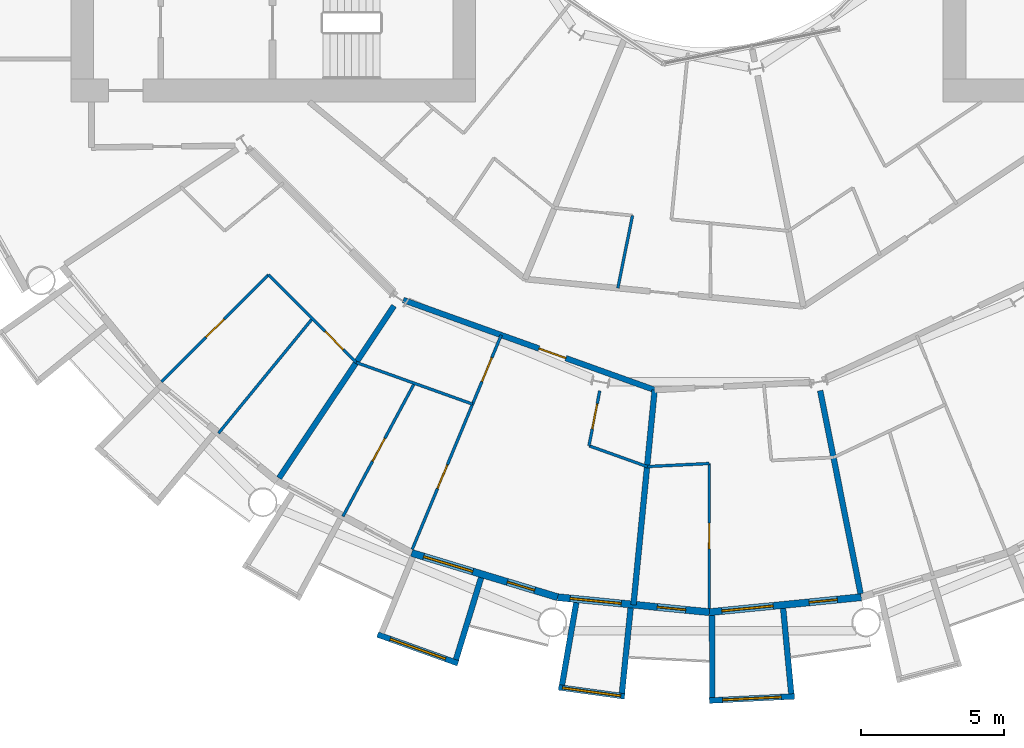
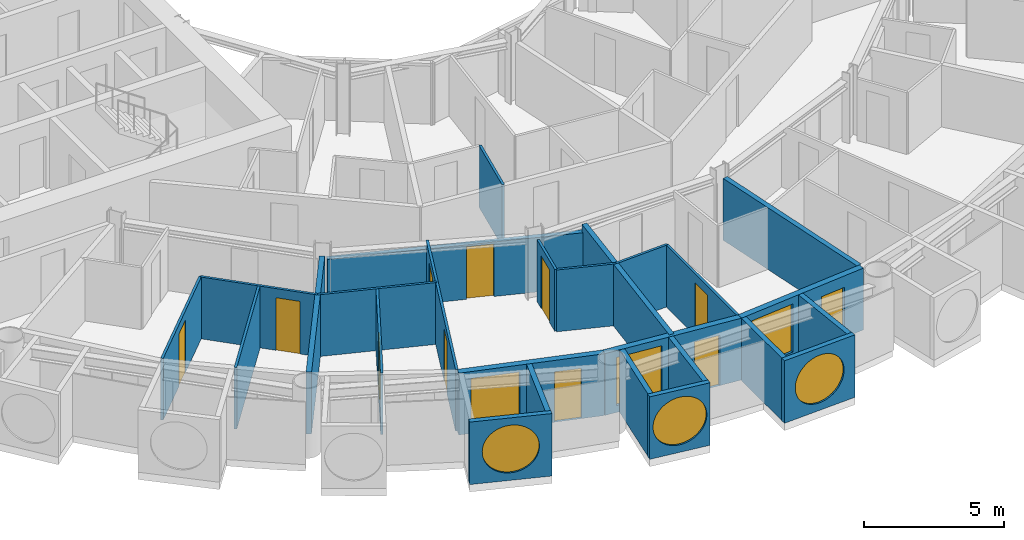
# One storey, part 13 of 26: 26 walls, 11 doors, 6 windows, 17 openings.
"""IFC4 building model written with IfcOpenShell, lengths in metres."""

import ifcopenshell
import ifcopenshell.guid

model = None  # the IFC model being written
_history = None  # IfcOwnerHistory: only IFC2X3 demands one
_inside = {}  # id of a spatial element -> (the spatial element, [elements in it])
_under = {}  # id of a project, library or spatial element -> (it, [spatial elements below it])
_declared = {}  # id of a project -> (the project, [libraries it declares])
_typed = {}  # id of a type object -> (the type object, [elements of that type])
_made_of = {}  # id of a material, layer set ... -> (it, [elements and type objects made of it])


def new_model(schema):
    """Start an empty IFC model of exactly this schema.

    Asked for "IFC4X3", IfcOpenShell would pick the latest addendum, in which some entities
    have other attributes; the version numbers below select the first issue.
    IFC2X3 requires an IfcOwnerHistory on every rooted entity: one is made here for all.
    """
    global model, _history
    if schema == "IFC4X3":
        model = ifcopenshell.file(schema_version=(4, 3, 0, 0))
    else:
        model = ifcopenshell.file(schema=schema)
    _inside.clear()
    _under.clear()
    _declared.clear()
    _typed.clear()
    _made_of.clear()
    _history = None
    if model.schema == "IFC2X3":
        org = make("IfcOrganization", Name="unknown")
        user = make(
            "IfcPersonAndOrganization",
            ThePerson=make("IfcPerson", FamilyName="unknown"),
            TheOrganization=org,
        )
        app = make(
            "IfcApplication",
            ApplicationDeveloper=org,
            Version="unknown",
            ApplicationFullName="unknown",
            ApplicationIdentifier="unknown",
        )
        _history = make(
            "IfcOwnerHistory",
            OwningUser=user,
            OwningApplication=app,
            ChangeAction="ADDED",
            CreationDate=0,
        )
    return model


def make(cls, **values):
    """One entity of the class cls with the attributes given. An attribute that is None is left unset."""
    return model.create_entity(
        cls, **{name: value for name, value in values.items() if value is not None}
    )


def rooted(cls, **values):
    """An entity with a GlobalId (a new one), such as an element, a storey or a relation."""
    return make(cls, GlobalId=ifcopenshell.guid.new(), OwnerHistory=_history, **values)


def si_unit(unit_type, name, prefix=None):
    """IfcSIUnit, for example si_unit("LENGTHUNIT", "METRE", prefix="MILLI")."""
    return make("IfcSIUnit", UnitType=unit_type, Prefix=prefix, Name=name)


def assignment(units):
    """IfcUnitAssignment: the units of a project."""
    return None if units is None else make("IfcUnitAssignment", Units=units)


def point(xyz):
    """IfcCartesianPoint."""
    return None if xyz is None else make("IfcCartesianPoint", Coordinates=xyz)


def direction(xyz):
    """IfcDirection."""
    return None if xyz is None else make("IfcDirection", DirectionRatios=xyz)


def frame(location, z_axis=None, x_axis=None):
    """IfcAxis2Placement3D, a coordinate frame: its origin and axes. An axis left out is left unset."""
    return make(
        "IfcAxis2Placement3D",
        Location=point(location),
        Axis=direction(z_axis),
        RefDirection=direction(x_axis),
    )


def frame_2d(location, x_axis=None):
    """IfcAxis2Placement2D, a coordinate frame in the plane: its origin and x axis."""
    return make(
        "IfcAxis2Placement2D", Location=point(location), RefDirection=direction(x_axis)
    )


def origin():
    """The frame at (0, 0, 0) with its axes left unset."""
    return frame((0.0, 0.0, 0.0))


def place(relative_to, where):
    """IfcLocalPlacement: puts the frame where relative to a parent placement (None: the world)."""
    return make(
        "IfcLocalPlacement", PlacementRelTo=relative_to, RelativePlacement=where
    )


def context(
    kind, dimensions, precision=None, world=None, true_north=None, identifier=None
):
    """IfcGeometricRepresentationContext, for example the 3D "Model" context."""
    return make(
        "IfcGeometricRepresentationContext",
        ContextIdentifier=identifier,
        ContextType=kind,
        CoordinateSpaceDimension=dimensions,
        Precision=precision,
        WorldCoordinateSystem=world,
        TrueNorth=true_north,
    )


def subcontext(parent, identifier, kind, view, scale=None):
    """IfcGeometricRepresentationSubContext, for example "Body" below "Model"."""
    return make(
        "IfcGeometricRepresentationSubContext",
        ContextIdentifier=identifier,
        ContextType=kind,
        ParentContext=parent,
        TargetScale=scale,
        TargetView=view,
    )


def project(units=None, contexts=None):
    """IfcProject with its units and contexts."""
    return rooted(
        "IfcProject",
        Name="project",
        RepresentationContexts=contexts,
        UnitsInContext=assignment(units),
    )


def spatial(cls, under=None, at=None, **own):
    """A site, building, storey or space (cls), placed at a placement, below another one or the project."""
    s = rooted(cls, ObjectPlacement=at, **own)
    if under is not None:
        _under.setdefault(under.id(), (under, []))[1].append(s)
    return s


def profile(cls, at=None, kind="AREA", **sizes):
    """A parametric profile (cls). Its sizes go by their IFC names, for example OverallWidth=200.0."""
    return make(cls, ProfileType=kind, Position=at, **sizes)


def rectangle(**sizes):
    """IfcRectangleProfileDef."""
    return profile("IfcRectangleProfileDef", **sizes)


def circle(**sizes):
    """IfcCircleProfileDef."""
    return profile("IfcCircleProfileDef", **sizes)


def extrude(swept, where, along, depth):
    """IfcExtrudedAreaSolid: the profile swept, set in the frame where, extruded along a direction by depth."""
    return make(
        "IfcExtrudedAreaSolid",
        SweptArea=swept,
        Position=where,
        ExtrudedDirection=direction(along),
        Depth=depth,
    )


def shape(context_of_items, identifier, shape_type, items):
    """IfcShapeRepresentation: the items that make up one representation, for example the "Body"."""
    return make(
        "IfcShapeRepresentation",
        ContextOfItems=context_of_items,
        RepresentationIdentifier=identifier,
        RepresentationType=shape_type,
        Items=items,
    )


def material(Name=None, Category=None):
    """IfcMaterial."""
    return make("IfcMaterial", Name=Name, Category=Category)


def layer(
    of_material, thickness, ventilated=None, Name=None, Category=None, Priority=None
):
    """IfcMaterialLayer: one layer of a wall or slab, of a material (None: an air gap)."""
    return make(
        "IfcMaterialLayer",
        Material=of_material,
        LayerThickness=thickness,
        IsVentilated=ventilated,
        Name=Name,
        Category=Category,
        Priority=Priority,
    )


def layer_set(layers, Name=None):
    """IfcMaterialLayerSet."""
    return make("IfcMaterialLayerSet", MaterialLayers=layers, LayerSetName=Name)


def made_of(thing, what):
    """Note that an element or type object is made of a material, layer set ...; save() writes the relation."""
    if what is not None:
        _made_of.setdefault(what.id(), (what, []))[1].append(thing)
    return thing


def type_object(cls, material=None, **own):
    """A type object (cls), such as IfcWallType, which elements share."""
    return made_of(rooted(cls, **own), material)


def element(
    cls,
    number,
    at=None,
    inside=None,
    cuts=None,
    type_object=None,
    material=None,
    context=None,
    identifier="Body",
    shape_type=None,
    held_by="IfcProductDefinitionShape",
    body=None,
    shapes=None,
    **own,
):
    """One element of the class cls, such as IfcWall. Its Tag is "e" and its number.

    at: its placement. inside: the storey or other place that contains it. cuts: it is an
    opening in that element (IfcRelVoidsElement). A single representation is given by context,
    identifier, shape_type and body (its items); several are given by shapes. held_by: the class
    of the entity that holds the representations. save() writes the other relations.
    """
    e = rooted(cls, Tag="e%d" % number, ObjectPlacement=at, **own)
    if body is not None:
        shapes = [shape(context, identifier, shape_type, body)]
    if shapes is not None:
        e.Representation = make(held_by, Representations=shapes)
    if inside is not None:
        _inside.setdefault(inside.id(), (inside, []))[1].append(e)
    if cuts is not None:
        rooted(
            "IfcRelVoidsElement", RelatingBuildingElement=cuts, RelatedOpeningElement=e
        )
    if type_object is not None:
        _typed.setdefault(type_object.id(), (type_object, []))[1].append(e)
    return made_of(e, material)


def fill(opening, filler):
    """IfcRelFillsElement: the door or window that sits in an opening."""
    return rooted(
        "IfcRelFillsElement",
        RelatingOpeningElement=opening,
        RelatedBuildingElement=filler,
    )


def aggregate(whole, parts):
    """IfcRelAggregates: a whole, such as a stair, and the parts it consists of."""
    return rooted("IfcRelAggregates", RelatingObject=whole, RelatedObjects=parts)


def save(model, path):
    """Write the relations noted so far, then the file.

    IfcRelAggregates (storeys below a building ...), IfcRelContainedInSpatialStructure (elements
    in a storey), IfcRelDefinesByType, IfcRelAssociatesMaterial and IfcRelDeclares: one each for
    every whole, place, type object, material and project.
    """
    for whole, parts in _under.values():
        aggregate(whole, parts)
    for where, things in _inside.values():
        rooted(
            "IfcRelContainedInSpatialStructure",
            RelatedElements=things,
            RelatingStructure=where,
        )
    for kind, things in _typed.values():
        rooted("IfcRelDefinesByType", RelatedObjects=things, RelatingType=kind)
    for what, things in _made_of.values():
        rooted("IfcRelAssociatesMaterial", RelatedObjects=things, RelatingMaterial=what)
    for by, libraries in _declared.values():
        rooted("IfcRelDeclares", RelatingContext=by, RelatedDefinitions=libraries)
    model.write(path)


model = new_model("IFC4")

# Units and contexts
model_context = context("Model", 3, precision=1e-05, world=origin(), true_north=direction((0.0, 1.0)))
body_context = subcontext(model_context, "Body", "Model", "MODEL_VIEW")
ifc_project = project(units=[si_unit("LENGTHUNIT", "METRE"), si_unit("AREAUNIT", "SQUARE_METRE"), si_unit("VOLUMEUNIT", "CUBIC_METRE"), si_unit("PLANEANGLEUNIT", "RADIAN"), si_unit("MASSUNIT", "GRAM", prefix="KILO")], contexts=[model_context])

# Site, building, storey
site_placement = place(None, origin())
site = spatial("IfcSite", under=ifc_project, at=site_placement, CompositionType="ELEMENT")
building_placement = place(site_placement, origin())
building = spatial("IfcBuilding", under=site, at=building_placement, Name="Maasbend Ring Residences", CompositionType="ELEMENT")
storey_placement = place(building_placement, frame((0.0, 0.0, 22.800048828125)))
storey = spatial("IfcBuildingStorey", under=building, at=storey_placement, Name="L05", CompositionType="ELEMENT", Elevation=22.800048828125)

# Wall, opening, door
ifc_material_1 = material(Name="Concrete C30/37", Category="concrete")
ifc_layer_1 = layer(ifc_material_1, 0.199951171875)
ifc_layer_set_1 = layer_set([ifc_layer_1], Name="Concrete C30/37")
wall_type_1 = type_object("IfcWallType", Name="CORRIDOR WALL 200 CONCRETE", PredefinedType="PARTITIONING", material=ifc_layer_set_1)
wall_1_placement = place(storey_placement, frame((-10.740966796875, -16.35009765625, 0.0), z_axis=(0.0, 0.0, 1.0), x_axis=(0.941539496009, -0.336902623105, 0.0)))
wall_1 = element("IfcWall", 1, at=wall_1_placement, inside=storey, type_object=wall_type_1, Name="U-L05-w016", PredefinedType="PARTITIONING", context=body_context, shape_type="SweptSolid", body=[
    extrude(rectangle(XDim=9.36767578125, YDim=0.199951171875, at=frame_2d((4.683837890625, 0.0))), origin(), (0.0, 0.0, 1.0), 2.3798828125),
])
opening_1_placement = place(wall_1_placement, frame((5.056884765625, 0.0, 0.0)))
opening_1 = element("IfcOpeningElement", 2, at=opening_1_placement, cuts=wall_1, Name="Opening D-0537", PredefinedType="OPENING", context=body_context, shape_type="SweptSolid", body=[
    extrude(rectangle(XDim=1.0, YDim=2.300048828125, at=frame_2d((0.5, 1.14990234375))), frame((0.0, 0.10986328125, 0.0), z_axis=(0.0, -1.0, 0.0), x_axis=(1.0, 0.0, 0.0)), (0.0, 0.0, 1.0), 0.219970703125),
])
ifc_material_2 = material(Name="Timber, fire-rated, painted", Category="wood")
door_type_1 = type_object("IfcDoorType", Name="FLAT ENTRANCE DOOR 1000 X 2300 FIRE-RATED", OperationType="NOTDEFINED", PredefinedType="DOOR", material=ifc_material_2)
door_1_placement = place(opening_1_placement, origin())
door_1 = element("IfcDoor", 3, at=door_1_placement, inside=storey, type_object=door_type_1, Name="D-0537", OperationType="SINGLE_SWING_RIGHT", OverallHeight=2.300048828125, OverallWidth=1.0, PredefinedType="DOOR", context=body_context, shape_type="SweptSolid", body=[
    extrude(rectangle(XDim=1.0, YDim=2.300048828125, at=frame_2d((0.5, 1.14990234375))), frame((0.0, 0.02490234375, 0.0), z_axis=(0.0, -1.0, 0.0), x_axis=(1.0, 0.0, 0.0)), (0.0, 0.0, 1.0), 0.050048828125),
])
fill(opening_1, door_1)

# Wall, opening, window
ifc_material_3 = material(Name="Pale anodised aluminium panel", Category="aluminium")
ifc_layer_2 = layer(ifc_material_3, 0.199951171875)
ifc_layer_set_2 = layer_set([ifc_layer_2], Name="EW-BOX")
wall_type_2 = type_object("IfcWallType", Name="EW-BOX", PredefinedType="SOLIDWALL", material=ifc_layer_set_2)
wall_2_placement = place(storey_placement, frame((-11.637939453125, -28.083984375, -0.030029296875), z_axis=(0.0, 0.0, 1.0), x_axis=(0.941461077774, -0.337121697664, 0.0)))
wall_2 = element("IfcWall", 4, at=wall_2_placement, inside=storey, type_object=wall_type_2, Name="Box front S07", PredefinedType="SOLIDWALL", context=body_context, shape_type="SweptSolid", body=[
    extrude(rectangle(XDim=2.9931640625, YDim=0.199951171875, at=frame_2d((1.49658203125, 0.0))), origin(), (0.0, 0.0, 1.0), 2.72998046875),
])
opening_2_placement = place(wall_2_placement, frame((0.45654296875, 0.0, 0.330078125)))
opening_2 = element("IfcOpeningElement", 5, at=opening_2_placement, cuts=wall_2, Name="Opening W-RD", PredefinedType="OPENING", context=body_context, shape_type="SweptSolid", body=[
    extrude(circle(Radius=1.0400390625, at=frame_2d((1.0400390625, 1.0400390625))), frame((0.0, 0.10986328125, 0.0), z_axis=(0.0, -1.0, 0.0), x_axis=(1.0, 0.0, 0.0)), (0.0, 0.0, 1.0), 0.219970703125),
])
ifc_material_4 = material(Name="Aluminium and clear glass", Category="aluminium")
window_type_1 = type_object("IfcWindowType", Name="W-RD", PartitioningType="SINGLE_PANEL", PredefinedType="WINDOW", material=ifc_material_4)
window_1_placement = place(opening_2_placement, origin())
window_1 = element("IfcWindow", 6, at=window_1_placement, inside=storey, type_object=window_type_1, Name="Round window S07", OverallHeight=2.080078125, OverallWidth=2.080078125, PartitioningType="SINGLE_PANEL", PredefinedType="WINDOW", context=body_context, shape_type="SweptSolid", body=[
    extrude(circle(Radius=1.0400390625, at=frame_2d((1.0400390625, 1.0400390625))), frame((0.0, 0.030029296875, 0.0), z_axis=(0.0, -1.0, 0.0), x_axis=(1.0, 0.0, 0.0)), (0.0, 0.0, 1.0), 0.06005859375),
])
fill(opening_2, window_1)

# Wall
wall_3_placement = place(storey_placement, frame((-8.009033203125, -26.092041015625, -0.030029296875), z_axis=(0.0, 0.0, 1.0), x_axis=(-0.293406695073, -0.955987715029, 0.0)))
element("IfcWall", 7, at=wall_3_placement, inside=storey, type_object=wall_type_2, Name="Box side wall S07 right", PredefinedType="SOLIDWALL", context=body_context, shape_type="SweptSolid", body=[
    extrude(rectangle(XDim=3.00634765625, YDim=0.199951171875, at=frame_2d((1.503173828125, 0.0))), origin(), (0.0, 0.0, 1.0), 2.72998046875),
])

# Wall, opening, window
wall_4_placement = place(storey_placement, frame((-5.2900390625, -29.93603515625, -0.030029296875), z_axis=(0.0, 0.0, 1.0), x_axis=(0.990696111261, -0.136092671119, 0.0)))
wall_4 = element("IfcWall", 8, at=wall_4_placement, inside=storey, type_object=wall_type_2, Name="Box front S09", PredefinedType="SOLIDWALL", context=body_context, shape_type="SweptSolid", body=[
    extrude(rectangle(XDim=2.335693359375, YDim=0.199951171875, at=frame_2d((1.16796875, 0.0))), origin(), (0.0, 0.0, 1.0), 2.72998046875),
])
opening_3_placement = place(wall_4_placement, frame((0.128173828125, 0.0, 0.330078125)))
opening_3 = element("IfcOpeningElement", 9, at=opening_3_placement, cuts=wall_4, Name="Opening W-RD", PredefinedType="OPENING", context=body_context, shape_type="SweptSolid", body=[
    extrude(circle(Radius=1.0400390625, at=frame_2d((1.0400390625, 1.0400390625))), frame((0.0, 0.10986328125, 0.0), z_axis=(0.0, -1.0, 0.0), x_axis=(1.0, 0.0, 0.0)), (0.0, 0.0, 1.0), 0.219970703125),
])
window_2_placement = place(opening_3_placement, origin())
window_2 = element("IfcWindow", 10, at=window_2_placement, inside=storey, type_object=window_type_1, Name="Round window S09", OverallHeight=2.080078125, OverallWidth=2.080078125, PartitioningType="SINGLE_PANEL", PredefinedType="WINDOW", context=body_context, shape_type="SweptSolid", body=[
    extrude(circle(Radius=1.0400390625, at=frame_2d((1.0400390625, 1.0400390625))), frame((0.0, 0.030029296875, 0.0), z_axis=(0.0, -1.0, 0.0), x_axis=(1.0, 0.0, 0.0)), (0.0, 0.0, 1.0), 0.06005859375),
])
fill(opening_3, window_2)

# Walls
wall_5_placement = place(storey_placement, frame((-4.6708984375, -26.966064453125, -0.030029296875), z_axis=(0.0, 0.0, 1.0), x_axis=(-0.170539878907, -0.985350774954, 0.0)))
element("IfcWall", 11, at=wall_5_placement, inside=storey, type_object=wall_type_2, Name="Box side wall S09 left", PredefinedType="SOLIDWALL", context=body_context, shape_type="SweptSolid", body=[
    extrude(rectangle(XDim=2.931884765625, YDim=0.199951171875, at=frame_2d((1.4658203125, 0.0))), origin(), (0.0, 0.0, 1.0), 2.72998046875),
])
wall_6_placement = place(storey_placement, frame((-2.763916015625, -27.153076171875, -0.030029296875), z_axis=(0.0, 0.0, 1.0), x_axis=(-0.101505487237, -0.994834979311, 0.0)))
element("IfcWall", 12, at=wall_6_placement, inside=storey, type_object=wall_type_2, Name="Box side wall S09 right", PredefinedType="SOLIDWALL", context=body_context, shape_type="SweptSolid", body=[
    extrude(rectangle(XDim=3.006591796875, YDim=0.199951171875, at=frame_2d((1.50341796875, 0.0))), origin(), (0.0, 0.0, 1.0), 2.72998046875),
])

# Wall, opening, window
wall_7_placement = place(storey_placement, frame((-0.0048828125, -30.39990234375, -0.030029296875), z_axis=(0.0, 0.0, 1.0), x_axis=(0.998794083011, 0.049095618353, 0.0)))
wall_7 = element("IfcWall", 13, at=wall_7_placement, inside=storey, type_object=wall_type_2, Name="Box front S11", PredefinedType="SOLIDWALL", context=body_context, shape_type="SweptSolid", body=[
    extrude(rectangle(XDim=2.99365234375, YDim=0.199951171875, at=frame_2d((1.496826171875, 0.0))), origin(), (0.0, 0.0, 1.0), 2.72998046875),
])
opening_4_placement = place(wall_7_placement, frame((0.45654296875, 0.0, 0.330078125)))
opening_4 = element("IfcOpeningElement", 14, at=opening_4_placement, cuts=wall_7, Name="Opening W-RD", PredefinedType="OPENING", context=body_context, shape_type="SweptSolid", body=[
    extrude(circle(Radius=1.0400390625, at=frame_2d((1.0400390625, 1.0400390625))), frame((0.0, 0.10986328125, 0.0), z_axis=(0.0, -1.0, 0.0), x_axis=(1.0, 0.0, 0.0)), (0.0, 0.0, 1.0), 0.219970703125),
])
window_3_placement = place(opening_4_placement, origin())
window_3 = element("IfcWindow", 15, at=window_3_placement, inside=storey, type_object=window_type_1, Name="Round window S11", OverallHeight=2.080078125, OverallWidth=2.080078125, PartitioningType="SINGLE_PANEL", PredefinedType="WINDOW", context=body_context, shape_type="SweptSolid", body=[
    extrude(circle(Radius=1.0400390625, at=frame_2d((1.0400390625, 1.0400390625))), frame((0.0, 0.030029296875, 0.0), z_axis=(0.0, -1.0, 0.0), x_axis=(1.0, 0.0, 0.0)), (0.0, 0.0, 1.0), 0.06005859375),
])
fill(opening_4, window_3)

# Walls
wall_8_placement = place(storey_placement, frame((0.090087890625, -27.4169921875, -0.030029296875), z_axis=(0.0, 0.0, 1.0), x_axis=(0.00347308367, -0.999993968827, 0.0)))
element("IfcWall", 16, at=wall_8_placement, inside=storey, type_object=wall_type_2, Name="Box side wall S11 left", PredefinedType="SOLIDWALL", context=body_context, shape_type="SweptSolid", body=[
    extrude(rectangle(XDim=2.882080078125, YDim=0.199951171875, at=frame_2d((1.44091796875, 0.0))), origin(), (0.0, 0.0, 1.0), 2.72998046875),
])
wall_9_placement = place(storey_placement, frame((2.5859375, -27.1708984375, -0.030029296875), z_axis=(0.0, 0.0, 1.0), x_axis=(0.094548432284, -0.995520262954, 0.0)))
element("IfcWall", 17, at=wall_9_placement, inside=storey, type_object=wall_type_2, Name="Box side wall S11 right", PredefinedType="SOLIDWALL", context=body_context, shape_type="SweptSolid", body=[
    extrude(rectangle(XDim=3.005615234375, YDim=0.199951171875, at=frame_2d((1.5029296875, 0.0))), origin(), (0.0, 0.0, 1.0), 2.72998046875),
])

# Wall, openings, door, window
ifc_material_5 = material(Name="Aluminium clad insulated panel", Category="aluminium")
ifc_layer_3 = layer(ifc_material_5, 0.25)
ifc_layer_set_3 = layer_set([ifc_layer_3], Name="EW-GL")
wall_type_3 = type_object("IfcWallType", Name="EW-GL", PredefinedType="SOLIDWALL", material=ifc_layer_set_3)
wall_10_placement = place(storey_placement, frame((-10.447021484375, -25.221923828125, 0.0), z_axis=(0.0, 0.0, 1.0), x_axis=(0.956965678721, -0.290201119486, 0.0)))
wall_10 = element("IfcWall", 18, at=wall_10_placement, inside=storey, type_object=wall_type_3, Name="External wall S04", PredefinedType="SOLIDWALL", context=body_context, shape_type="SweptSolid", body=[
    extrude(rectangle(XDim=5.351318359375, YDim=0.25, at=frame_2d((2.67578125, 0.0))), origin(), (0.0, 0.0, 1.0), 2.699951171875),
])
opening_5_placement = place(wall_10_placement, frame((0.441162109375, 0.0, 0.300048828125)))
opening_5 = element("IfcOpeningElement", 19, at=opening_5_placement, cuts=wall_10, Name="Opening W-BX", PredefinedType="OPENING", context=body_context, shape_type="SweptSolid", body=[
    extrude(rectangle(XDim=1.800048828125, YDim=2.10009765625, at=frame_2d((0.89990234375, 1.050048828125))), frame((0.0, 0.135009765625, 0.0), z_axis=(0.0, -1.0, 0.0), x_axis=(1.0, 0.0, 0.0)), (0.0, 0.0, 1.0), 0.27001953125),
])
opening_6_placement = place(wall_10_placement, frame((3.510498046875, 0.0, 0.0)))
opening_6 = element("IfcOpeningElement", 20, at=opening_6_placement, cuts=wall_10, Name="Opening D-LG", PredefinedType="OPENING", context=body_context, shape_type="SweptSolid", body=[
    extrude(rectangle(XDim=1.0, YDim=2.199951171875, at=frame_2d((0.5, 1.10009765625))), frame((0.0, 0.135009765625, 0.0), z_axis=(0.0, -1.0, 0.0), x_axis=(1.0, 0.0, 0.0)), (0.0, 0.0, 1.0), 0.27001953125),
])
ifc_material_6 = material(Name="Aluminium and clear glass", Category="aluminium")
door_type_2 = type_object("IfcDoorType", Name="D-LG", OperationType="SINGLE_SWING_LEFT", PredefinedType="DOOR", material=ifc_material_6)
door_2_placement = place(opening_6_placement, origin())
door_2 = element("IfcDoor", 21, at=door_2_placement, inside=storey, type_object=door_type_2, Name="Loggia door S08", OperationType="SINGLE_SWING_LEFT", OverallHeight=2.199951171875, OverallWidth=1.0, PredefinedType="DOOR", context=body_context, shape_type="SweptSolid", body=[
    extrude(rectangle(XDim=1.0, YDim=2.199951171875, at=frame_2d((0.5, 1.10009765625))), frame((0.0, 0.02490234375, 0.0), z_axis=(0.0, -1.0, 0.0), x_axis=(1.0, 0.0, 0.0)), (0.0, 0.0, 1.0), 0.050048828125),
])
fill(opening_6, door_2)
ifc_material_7 = material(Name="Aluminium and clear glass", Category="aluminium")
window_type_2 = type_object("IfcWindowType", Name="W-BX", PartitioningType="DOUBLE_PANEL_VERTICAL", PredefinedType="WINDOW", material=ifc_material_7)
window_4_placement = place(opening_5_placement, origin())
window_4 = element("IfcWindow", 22, at=window_4_placement, inside=storey, type_object=window_type_2, Name="Window S07 room to box", OverallHeight=2.10009765625, OverallWidth=1.800048828125, PartitioningType="SINGLE_PANEL", PredefinedType="WINDOW", context=body_context, shape_type="SweptSolid", body=[
    extrude(rectangle(XDim=1.800048828125, YDim=2.10009765625, at=frame_2d((0.89990234375, 1.050048828125))), frame((0.0, 0.030029296875, 0.0), z_axis=(0.0, -1.0, 0.0), x_axis=(1.0, 0.0, 0.0)), (0.0, 0.0, 1.0), 0.06005859375),
])
fill(opening_5, window_4)

wall_11_placement = place(storey_placement, frame((-5.325927734375, -26.77490234375, 0.0), z_axis=(0.0, 0.0, 1.0), x_axis=(0.995173996315, -0.098126026407, 0.0)))
wall_11 = element("IfcWall", 23, at=wall_11_placement, inside=storey, type_object=wall_type_3, Name="External wall S05", PredefinedType="SOLIDWALL", context=body_context, shape_type="SweptSolid", body=[
    extrude(rectangle(XDim=5.351806640625, YDim=0.25, at=frame_2d((2.67578125, 0.0))), origin(), (0.0, 0.0, 1.0), 2.699951171875),
])
opening_7_placement = place(wall_11_placement, frame((0.441162109375, 0.0, 0.300048828125)))
opening_7 = element("IfcOpeningElement", 24, at=opening_7_placement, cuts=wall_11, Name="Opening W-BX", PredefinedType="OPENING", context=body_context, shape_type="SweptSolid", body=[
    extrude(rectangle(XDim=1.800048828125, YDim=2.10009765625, at=frame_2d((0.89990234375, 1.050048828125))), frame((0.0, 0.135009765625, 0.0), z_axis=(0.0, -1.0, 0.0), x_axis=(1.0, 0.0, 0.0)), (0.0, 0.0, 1.0), 0.27001953125),
])
opening_8_placement = place(wall_11_placement, frame((3.510498046875, 0.0, 0.0)))
opening_8 = element("IfcOpeningElement", 25, at=opening_8_placement, cuts=wall_11, Name="Opening D-LG", PredefinedType="OPENING", context=body_context, shape_type="SweptSolid", body=[
    extrude(rectangle(XDim=1.0, YDim=2.199951171875, at=frame_2d((0.5, 1.10009765625))), frame((0.0, 0.135009765625, 0.0), z_axis=(0.0, -1.0, 0.0), x_axis=(1.0, 0.0, 0.0)), (0.0, 0.0, 1.0), 0.27001953125),
])
door_3_placement = place(opening_8_placement, origin())
door_3 = element("IfcDoor", 26, at=door_3_placement, inside=storey, type_object=door_type_2, Name="Loggia door S10", OperationType="SINGLE_SWING_LEFT", OverallHeight=2.199951171875, OverallWidth=1.0, PredefinedType="DOOR", context=body_context, shape_type="SweptSolid", body=[
    extrude(rectangle(XDim=1.0, YDim=2.199951171875, at=frame_2d((0.5, 1.10009765625))), frame((0.0, 0.02490234375, 0.0), z_axis=(0.0, -1.0, 0.0), x_axis=(1.0, 0.0, 0.0)), (0.0, 0.0, 1.0), 0.050048828125),
])
fill(opening_8, door_3)
window_5_placement = place(opening_7_placement, origin())
window_5 = element("IfcWindow", 27, at=window_5_placement, inside=storey, type_object=window_type_2, Name="Window S09 room to box", OverallHeight=2.10009765625, OverallWidth=1.800048828125, PartitioningType="SINGLE_PANEL", PredefinedType="WINDOW", context=body_context, shape_type="SweptSolid", body=[
    extrude(rectangle(XDim=1.800048828125, YDim=2.10009765625, at=frame_2d((0.89990234375, 1.050048828125))), frame((0.0, 0.030029296875, 0.0), z_axis=(0.0, -1.0, 0.0), x_axis=(1.0, 0.0, 0.0)), (0.0, 0.0, 1.0), 0.06005859375),
])
fill(opening_7, window_5)

wall_12_placement = place(storey_placement, frame((0.0, -27.300048828125, 0.0), z_axis=(0.0, 0.0, 1.0), x_axis=(0.995173996315, 0.098126026407, 0.0)))
wall_12 = element("IfcWall", 28, at=wall_12_placement, inside=storey, type_object=wall_type_3, Name="External wall S06", PredefinedType="SOLIDWALL", context=body_context, shape_type="SweptSolid", body=[
    extrude(rectangle(XDim=5.351806640625, YDim=0.25, at=frame_2d((2.67578125, 0.0))), origin(), (0.0, 0.0, 1.0), 2.699951171875),
])
opening_9_placement = place(wall_12_placement, frame((0.441162109375, 0.0, 0.300048828125)))
opening_9 = element("IfcOpeningElement", 29, at=opening_9_placement, cuts=wall_12, Name="Opening W-BX", PredefinedType="OPENING", context=body_context, shape_type="SweptSolid", body=[
    extrude(rectangle(XDim=1.800048828125, YDim=2.10009765625, at=frame_2d((0.89990234375, 1.050048828125))), frame((0.0, 0.135009765625, 0.0), z_axis=(0.0, -1.0, 0.0), x_axis=(1.0, 0.0, 0.0)), (0.0, 0.0, 1.0), 0.27001953125),
])
opening_10_placement = place(wall_12_placement, frame((3.510498046875, 0.0, 0.0)))
opening_10 = element("IfcOpeningElement", 30, at=opening_10_placement, cuts=wall_12, Name="Opening D-LG", PredefinedType="OPENING", context=body_context, shape_type="SweptSolid", body=[
    extrude(rectangle(XDim=1.0, YDim=2.199951171875, at=frame_2d((0.5, 1.10009765625))), frame((0.0, 0.135009765625, 0.0), z_axis=(0.0, -1.0, 0.0), x_axis=(1.0, 0.0, 0.0)), (0.0, 0.0, 1.0), 0.27001953125),
])
door_4_placement = place(opening_10_placement, origin())
door_4 = element("IfcDoor", 31, at=door_4_placement, inside=storey, type_object=door_type_2, Name="Loggia door S12", OperationType="SINGLE_SWING_LEFT", OverallHeight=2.199951171875, OverallWidth=1.0, PredefinedType="DOOR", context=body_context, shape_type="SweptSolid", body=[
    extrude(rectangle(XDim=1.0, YDim=2.199951171875, at=frame_2d((0.5, 1.10009765625))), frame((0.0, 0.02490234375, 0.0), z_axis=(0.0, -1.0, 0.0), x_axis=(1.0, 0.0, 0.0)), (0.0, 0.0, 1.0), 0.050048828125),
])
fill(opening_10, door_4)
window_6_placement = place(opening_9_placement, origin())
window_6 = element("IfcWindow", 32, at=window_6_placement, inside=storey, type_object=window_type_2, Name="Window S11 room to box", OverallHeight=2.10009765625, OverallWidth=1.800048828125, PartitioningType="SINGLE_PANEL", PredefinedType="WINDOW", context=body_context, shape_type="SweptSolid", body=[
    extrude(rectangle(XDim=1.800048828125, YDim=2.10009765625, at=frame_2d((0.89990234375, 1.050048828125))), frame((0.0, 0.030029296875, 0.0), z_axis=(0.0, -1.0, 0.0), x_axis=(1.0, 0.0, 0.0)), (0.0, 0.0, 1.0), 0.06005859375),
])
fill(opening_9, window_6)

# Wall
ifc_material_8 = material(Name="Gypsum board on steel studs", Category="steel")
ifc_layer_4 = layer(ifc_material_8, 0.10009765625)
ifc_layer_set_4 = layer_set([ifc_layer_4], Name="PARTITION 100 GYPSUM")
wall_type_4 = type_object("IfcWallType", Name="PARTITION 100 GYPSUM", PredefinedType="PARTITIONING", material=ifc_layer_set_4)
wall_13_placement = place(storey_placement, frame((-2.18603515625, -22.193115234375, 0.0), z_axis=(0.0, 0.0, 1.0), x_axis=(0.998792477005, 0.049128279821, 0.0)))
element("IfcWall", 33, at=wall_13_placement, inside=storey, type_object=wall_type_4, Name="U-L05-w001", PredefinedType="PARTITIONING", context=body_context, shape_type="SweptSolid", body=[
    extrude(rectangle(XDim=2.181640625, YDim=0.10009765625, at=frame_2d((1.0908203125, 0.0))), origin(), (0.0, 0.0, 1.0), 2.699951171875),
])

# Wall, opening, door
wall_14_placement = place(storey_placement, frame((-15.462890625, -15.468017578125, 0.0), z_axis=(0.0, 0.0, 1.0), x_axis=(0.707106781187, -0.707106781187, 0.0)))
wall_14 = element("IfcWall", 34, at=wall_14_placement, inside=storey, type_object=wall_type_4, Name="U-L05-w006", PredefinedType="PARTITIONING", context=body_context, shape_type="SweptSolid", body=[
    extrude(rectangle(XDim=4.351318359375, YDim=0.10009765625, at=frame_2d((2.17578125, 0.0))), origin(), (0.0, 0.0, 1.0), 2.699951171875),
])
opening_11_placement = place(wall_14_placement, frame((2.80810546875, 0.0, 0.0)))
opening_11 = element("IfcOpeningElement", 35, at=opening_11_placement, cuts=wall_14, Name="Opening D-0536", PredefinedType="OPENING", context=body_context, shape_type="SweptSolid", body=[
    extrude(rectangle(XDim=0.89990234375, YDim=2.300048828125, at=frame_2d((0.449951171875, 1.14990234375))), frame((0.0, 0.06005859375, 0.0), z_axis=(0.0, -1.0, 0.0), x_axis=(1.0, 0.0, 0.0)), (0.0, 0.0, 1.0), 0.1201171875),
])
ifc_material_9 = material(Name="Timber, painted", Category="wood")
door_type_3 = type_object("IfcDoorType", Name="INTERNAL DOOR 900 X 2300", OperationType="NOTDEFINED", PredefinedType="DOOR", material=ifc_material_9)
door_5_placement = place(opening_11_placement, origin())
door_5 = element("IfcDoor", 36, at=door_5_placement, inside=storey, type_object=door_type_3, Name="D-0536", OperationType="SINGLE_SWING_RIGHT", OverallHeight=2.300048828125, OverallWidth=0.89990234375, PredefinedType="DOOR", context=body_context, shape_type="SweptSolid", body=[
    extrude(rectangle(XDim=0.89990234375, YDim=2.300048828125, at=frame_2d((0.449951171875, 1.14990234375))), frame((0.0, 0.02490234375, 0.0), z_axis=(0.0, -1.0, 0.0), x_axis=(1.0, 0.0, 0.0)), (0.0, 0.0, 1.0), 0.050048828125),
])
fill(opening_11, door_5)

# Walls
wall_15_placement = place(storey_placement, frame((-12.388916015625, -18.5419921875, 0.0), z_axis=(0.0, 0.0, 1.0), x_axis=(0.941556976264, -0.336853767159, 0.0)))
element("IfcWall", 37, at=wall_15_placement, inside=storey, type_object=wall_type_4, Name="U-L05-w009", PredefinedType="PARTITIONING", context=body_context, shape_type="SweptSolid", body=[
    extrude(rectangle(XDim=4.334228515625, YDim=0.10009765625, at=frame_2d((2.1669921875, 0.0))), origin(), (0.0, 0.0, 1.0), 2.699951171875),
])
wall_16_placement = place(storey_placement, frame((-4.216064453125, -21.466064453125, 0.0), z_axis=(0.0, 0.0, 1.0), x_axis=(0.941588922545, -0.33676445914, 0.0)))
element("IfcWall", 38, at=wall_16_placement, inside=storey, type_object=wall_type_4, Name="U-L05-w010", PredefinedType="PARTITIONING", context=body_context, shape_type="SweptSolid", body=[
    extrude(rectangle(XDim=2.167724609375, YDim=0.10009765625, at=frame_2d((1.083984375, 0.0))), origin(), (0.0, 0.0, 1.0), 2.699951171875),
])

# Wall, opening, door
wall_17_placement = place(storey_placement, frame((-19.216064453125, -19.216064453125, 0.0), z_axis=(0.0, 0.0, 1.0), x_axis=(0.707106781187, 0.707106781187, 0.0)))
wall_17 = element("IfcWall", 39, at=wall_17_placement, inside=storey, type_object=wall_type_4, Name="U-L05-w035", PredefinedType="PARTITIONING", context=body_context, shape_type="SweptSolid", body=[
    extrude(rectangle(XDim=5.3046875, YDim=0.10009765625, at=frame_2d((2.65234375, 0.0))), origin(), (0.0, 0.0, 1.0), 2.699951171875),
])
opening_12_placement = place(wall_17_placement, frame((2.201904296875, 0.0, 0.0)))
opening_12 = element("IfcOpeningElement", 40, at=opening_12_placement, cuts=wall_17, Name="Opening D-0535", PredefinedType="OPENING", context=body_context, shape_type="SweptSolid", body=[
    extrude(rectangle(XDim=0.89990234375, YDim=2.300048828125, at=frame_2d((0.449951171875, 1.14990234375))), frame((0.0, 0.06005859375, 0.0), z_axis=(0.0, -1.0, 0.0), x_axis=(1.0, 0.0, 0.0)), (0.0, 0.0, 1.0), 0.1201171875),
])
door_6_placement = place(opening_12_placement, origin())
door_6 = element("IfcDoor", 41, at=door_6_placement, inside=storey, type_object=door_type_3, Name="D-0535", OperationType="SINGLE_SWING_LEFT", OverallHeight=2.300048828125, OverallWidth=0.89990234375, PredefinedType="DOOR", context=body_context, shape_type="SweptSolid", body=[
    extrude(rectangle(XDim=0.89990234375, YDim=2.300048828125, at=frame_2d((0.449951171875, 1.14990234375))), frame((0.0, 0.02490234375, 0.0), z_axis=(0.0, -1.0, 0.0), x_axis=(1.0, 0.0, 0.0)), (0.0, 0.0, 1.0), 0.050048828125),
])
fill(opening_12, door_6)

# Wall
wall_18_placement = place(storey_placement, frame((-17.219970703125, -21.02294921875, 0.0), z_axis=(0.0, 0.0, 1.0), x_axis=(0.633774976367, 0.773517471898, 0.0)))
element("IfcWall", 42, at=wall_18_placement, inside=storey, type_object=wall_type_4, Name="U-L05-w038", PredefinedType="PARTITIONING", context=body_context, shape_type="SweptSolid", body=[
    extrude(rectangle(XDim=5.19580078125, YDim=0.10009765625, at=frame_2d((2.597900390625, 0.0))), origin(), (0.0, 0.0, 1.0), 2.699951171875),
])

# Wall, opening, door
wall_19_placement = place(storey_placement, frame((-12.85595703125, -23.94189453125, 0.0), z_axis=(0.0, 0.0, 1.0), x_axis=(0.472967735543, 0.881079747319, 0.0)))
wall_19 = element("IfcWall", 43, at=wall_19_placement, inside=storey, type_object=wall_type_4, Name="U-L05-w042", PredefinedType="PARTITIONING", context=body_context, shape_type="SweptSolid", body=[
    extrude(rectangle(XDim=5.30029296875, YDim=0.10009765625, at=frame_2d((2.650146484375, 0.0))), origin(), (0.0, 0.0, 1.0), 2.699951171875),
])
opening_13_placement = place(wall_19_placement, frame((2.199951171875, 0.0, 0.0)))
opening_13 = element("IfcOpeningElement", 44, at=opening_13_placement, cuts=wall_19, Name="Opening D-0541", PredefinedType="OPENING", context=body_context, shape_type="SweptSolid", body=[
    extrude(rectangle(XDim=0.89990234375, YDim=2.300048828125, at=frame_2d((0.449951171875, 1.14990234375))), frame((0.0, 0.06005859375, 0.0), z_axis=(0.0, -1.0, 0.0), x_axis=(1.0, 0.0, 0.0)), (0.0, 0.0, 1.0), 0.1201171875),
])
door_7_placement = place(opening_13_placement, origin())
door_7 = element("IfcDoor", 45, at=door_7_placement, inside=storey, type_object=door_type_3, Name="D-0541", OperationType="SINGLE_SWING_RIGHT", OverallHeight=2.300048828125, OverallWidth=0.89990234375, PredefinedType="DOOR", context=body_context, shape_type="SweptSolid", body=[
    extrude(rectangle(XDim=0.89990234375, YDim=2.300048828125, at=frame_2d((0.449951171875, 1.14990234375))), frame((0.0, 0.02490234375, 0.0), z_axis=(0.0, -1.0, 0.0), x_axis=(1.0, 0.0, 0.0)), (0.0, 0.0, 1.0), 0.050048828125),
])
fill(opening_13, door_7)

# Wall, openings, doors
wall_20_placement = place(storey_placement, frame((-10.424072265625, -25.095947265625, 0.0), z_axis=(0.0, 0.0, 1.0), x_axis=(0.383616168183, 0.923492628833, 0.0)))
wall_20 = element("IfcWall", 46, at=wall_20_placement, inside=storey, type_object=wall_type_4, Name="U-L05-w047", PredefinedType="PARTITIONING", context=body_context, shape_type="SweptSolid", body=[
    extrude(rectangle(XDim=8.138427734375, YDim=0.10009765625, at=frame_2d((4.0693359375, 0.0))), origin(), (0.0, 0.0, 1.0), 2.699951171875),
])
opening_14_placement = place(wall_20_placement, frame((6.376953125, 0.0, 0.0)))
opening_14 = element("IfcOpeningElement", 47, at=opening_14_placement, cuts=wall_20, Name="Opening D-0539", PredefinedType="OPENING", context=body_context, shape_type="SweptSolid", body=[
    extrude(rectangle(XDim=0.89990234375, YDim=2.300048828125, at=frame_2d((0.449951171875, 1.14990234375))), frame((0.0, 0.06005859375, 0.0), z_axis=(0.0, -1.0, 0.0), x_axis=(1.0, 0.0, 0.0)), (0.0, 0.0, 1.0), 0.1201171875),
])
opening_15_placement = place(wall_20_placement, frame((2.30810546875, 0.0, 0.0)))
opening_15 = element("IfcOpeningElement", 48, at=opening_15_placement, cuts=wall_20, Name="Opening D-0540", PredefinedType="OPENING", context=body_context, shape_type="SweptSolid", body=[
    extrude(rectangle(XDim=0.89990234375, YDim=2.300048828125, at=frame_2d((0.449951171875, 1.14990234375))), frame((0.0, 0.06005859375, 0.0), z_axis=(0.0, -1.0, 0.0), x_axis=(1.0, 0.0, 0.0)), (0.0, 0.0, 1.0), 0.1201171875),
])
door_8_placement = place(opening_14_placement, origin())
door_8 = element("IfcDoor", 49, at=door_8_placement, inside=storey, type_object=door_type_3, Name="D-0539", OperationType="SINGLE_SWING_RIGHT", OverallHeight=2.300048828125, OverallWidth=0.89990234375, PredefinedType="DOOR", context=body_context, shape_type="SweptSolid", body=[
    extrude(rectangle(XDim=0.89990234375, YDim=2.300048828125, at=frame_2d((0.449951171875, 1.14990234375))), frame((0.0, 0.02490234375, 0.0), z_axis=(0.0, -1.0, 0.0), x_axis=(1.0, 0.0, 0.0)), (0.0, 0.0, 1.0), 0.050048828125),
])
fill(opening_14, door_8)
door_9_placement = place(opening_15_placement, origin())
door_9 = element("IfcDoor", 50, at=door_9_placement, inside=storey, type_object=door_type_3, Name="D-0540", OperationType="SINGLE_SWING_LEFT", OverallHeight=2.300048828125, OverallWidth=0.89990234375, PredefinedType="DOOR", context=body_context, shape_type="SweptSolid", body=[
    extrude(rectangle(XDim=0.89990234375, YDim=2.300048828125, at=frame_2d((0.449951171875, 1.14990234375))), frame((0.0, 0.02490234375, 0.0), z_axis=(0.0, -1.0, 0.0), x_axis=(1.0, 0.0, 0.0)), (0.0, 0.0, 1.0), 0.050048828125),
])
fill(opening_15, door_9)

# Wall, opening, door
wall_21_placement = place(storey_placement, frame((-4.22607421875, -21.4619140625, 0.0), z_axis=(0.0, 0.0, 1.0), x_axis=(0.193055213522, 0.981187894611, 0.0)))
wall_21 = element("IfcWall", 51, at=wall_21_placement, inside=storey, type_object=wall_type_4, Name="U-L05-w057", PredefinedType="PARTITIONING", context=body_context, shape_type="SweptSolid", body=[
    extrude(rectangle(XDim=1.9638671875, YDim=0.10009765625, at=frame_2d((0.98193359375, 0.0))), origin(), (0.0, 0.0, 1.0), 2.699951171875),
])
opening_16_placement = place(wall_21_placement, frame((0.60009765625, 0.0, 0.0)))
opening_16 = element("IfcOpeningElement", 52, at=opening_16_placement, cuts=wall_21, Name="Opening D-0538", PredefinedType="OPENING", context=body_context, shape_type="SweptSolid", body=[
    extrude(rectangle(XDim=0.89990234375, YDim=2.300048828125, at=frame_2d((0.449951171875, 1.14990234375))), frame((0.0, 0.06005859375, 0.0), z_axis=(0.0, -1.0, 0.0), x_axis=(1.0, 0.0, 0.0)), (0.0, 0.0, 1.0), 0.1201171875),
])
door_10_placement = place(opening_16_placement, origin())
door_10 = element("IfcDoor", 53, at=door_10_placement, inside=storey, type_object=door_type_3, Name="D-0538", OperationType="SINGLE_SWING_RIGHT", OverallHeight=2.300048828125, OverallWidth=0.89990234375, PredefinedType="DOOR", context=body_context, shape_type="SweptSolid", body=[
    extrude(rectangle(XDim=0.89990234375, YDim=2.300048828125, at=frame_2d((0.449951171875, 1.14990234375))), frame((0.0, 0.02490234375, 0.0), z_axis=(0.0, -1.0, 0.0), x_axis=(1.0, 0.0, 0.0)), (0.0, 0.0, 1.0), 0.050048828125),
])
fill(opening_16, door_10)

# Wall
wall_22_placement = place(storey_placement, frame((-3.212890625, -15.93408203125, 0.0), z_axis=(0.0, 0.0, 1.0), x_axis=(0.197851046463, 0.980232096706, 0.0)))
element("IfcWall", 54, at=wall_22_placement, inside=storey, type_object=wall_type_4, Name="U-L05-w058", PredefinedType="PARTITIONING", context=body_context, shape_type="SweptSolid", body=[
    extrude(rectangle(XDim=2.597412109375, YDim=0.10009765625, at=frame_2d((1.298828125, 0.0))), origin(), (0.0, 0.0, 1.0), 2.699951171875),
])

# Wall, opening, door
wall_23_placement = place(storey_placement, frame((-0.009033203125, -27.175048828125, 0.0), z_axis=(0.0, 0.0, 1.0), x_axis=(0.000383785052, 0.999999926355, 0.0)))
wall_23 = element("IfcWall", 55, at=wall_23_placement, inside=storey, type_object=wall_type_4, Name="U-L05-w065", PredefinedType="PARTITIONING", context=body_context, shape_type="SweptSolid", body=[
    extrude(rectangle(XDim=5.089111328125, YDim=0.10009765625, at=frame_2d((2.54443359375, 0.0))), origin(), (0.0, 0.0, 1.0), 2.699951171875),
])
opening_17_placement = place(wall_23_placement, frame((2.094970703125, 0.0, 0.0)))
opening_17 = element("IfcOpeningElement", 56, at=opening_17_placement, cuts=wall_23, Name="Opening D-0544", PredefinedType="OPENING", context=body_context, shape_type="SweptSolid", body=[
    extrude(rectangle(XDim=0.89990234375, YDim=2.300048828125, at=frame_2d((0.449951171875, 1.14990234375))), frame((0.0, 0.06005859375, 0.0), z_axis=(0.0, -1.0, 0.0), x_axis=(1.0, 0.0, 0.0)), (0.0, 0.0, 1.0), 0.1201171875),
])
door_11_placement = place(opening_17_placement, origin())
door_11 = element("IfcDoor", 57, at=door_11_placement, inside=storey, type_object=door_type_3, Name="D-0544", OperationType="SINGLE_SWING_LEFT", OverallHeight=2.300048828125, OverallWidth=0.89990234375, PredefinedType="DOOR", context=body_context, shape_type="SweptSolid", body=[
    extrude(rectangle(XDim=0.89990234375, YDim=2.300048828125, at=frame_2d((0.449951171875, 1.14990234375))), frame((0.0, 0.02490234375, 0.0), z_axis=(0.0, -1.0, 0.0), x_axis=(1.0, 0.0, 0.0)), (0.0, 0.0, 1.0), 0.050048828125),
])
fill(opening_17, door_11)

# Walls
ifc_material_10 = material(Name="Concrete C30/37", Category="concrete")
ifc_layer_5 = layer(ifc_material_10, 0.199951171875)
ifc_layer_set_5 = layer_set([ifc_layer_5], Name="Concrete C30/37")
wall_type_5 = type_object("IfcWallType", Name="PARTY WALL 200 CONCRETE", PredefinedType="PARTITIONING", material=ifc_layer_set_5)
wall_24_placement = place(storey_placement, frame((-15.097900390625, -22.594970703125, 0.0), z_axis=(0.0, 0.0, 1.0), x_axis=(0.55566921314, 0.831403467378, 0.0)))
element("IfcWall", 58, at=wall_24_placement, inside=storey, type_object=wall_type_5, Name="U-L05-w041", PredefinedType="PARTITIONING", context=body_context, shape_type="SweptSolid", body=[
    extrude(rectangle(XDim=7.264892578125, YDim=0.199951171875, at=frame_2d((3.63232421875, 0.0))), origin(), (0.0, 0.0, 1.0), 2.699951171875),
])
wall_25_placement = place(storey_placement, frame((-2.6650390625, -27.0439453125, 0.0), z_axis=(0.0, 0.0, 1.0), x_axis=(0.098083473227, 0.99517819122, 0.0)))
element("IfcWall", 59, at=wall_25_placement, inside=storey, type_object=wall_type_5, Name="U-L05-w060", PredefinedType="PARTITIONING", context=body_context, shape_type="SweptSolid", body=[
    extrude(rectangle(XDim=7.574462890625, YDim=0.199951171875, at=frame_2d((3.787109375, 0.0))), origin(), (0.0, 0.0, 1.0), 2.699951171875),
])
wall_26_placement = place(storey_placement, frame((3.885009765625, -19.527099609375, 0.0), z_axis=(0.0, 0.0, 1.0), x_axis=(0.195159680851, -0.980771481524, 0.0)))
element("IfcWall", 60, at=wall_26_placement, inside=storey, type_object=wall_type_5, Name="U-L05-w075", PredefinedType="PARTITIONING", context=body_context, shape_type="SweptSolid", body=[
    extrude(rectangle(XDim=7.265625, YDim=0.199951171875, at=frame_2d((3.6328125, 0.0))), origin(), (0.0, 0.0, 1.0), 2.699951171875),
])

save(model, "model.ifc")
